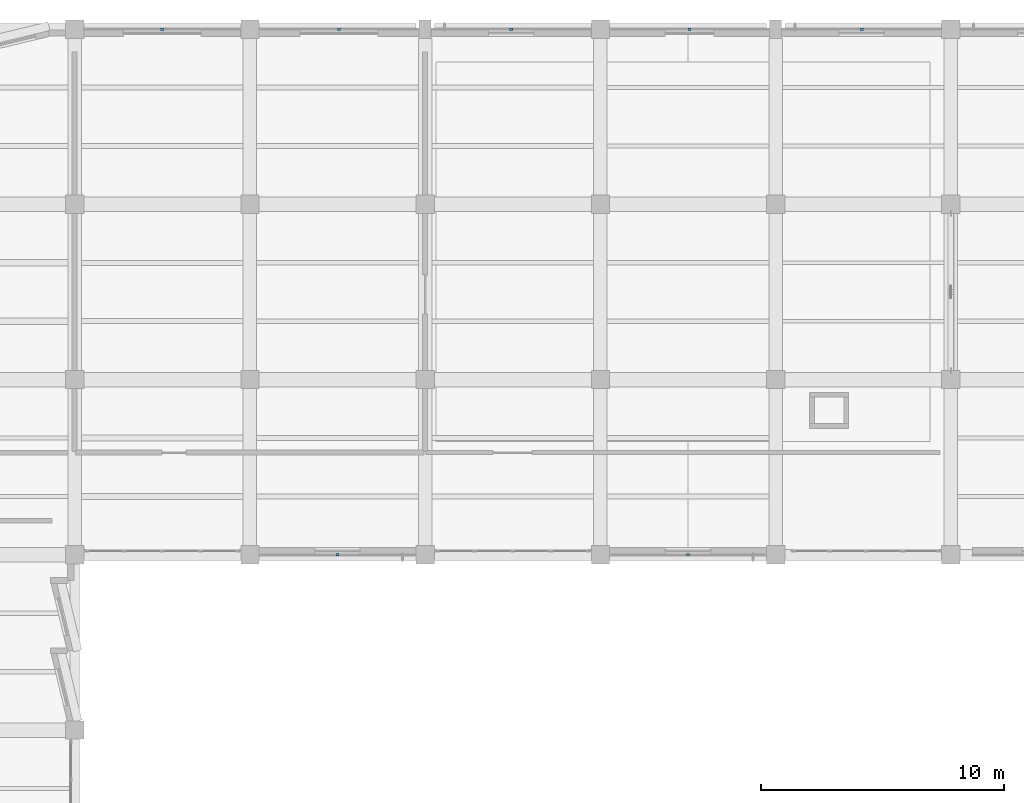
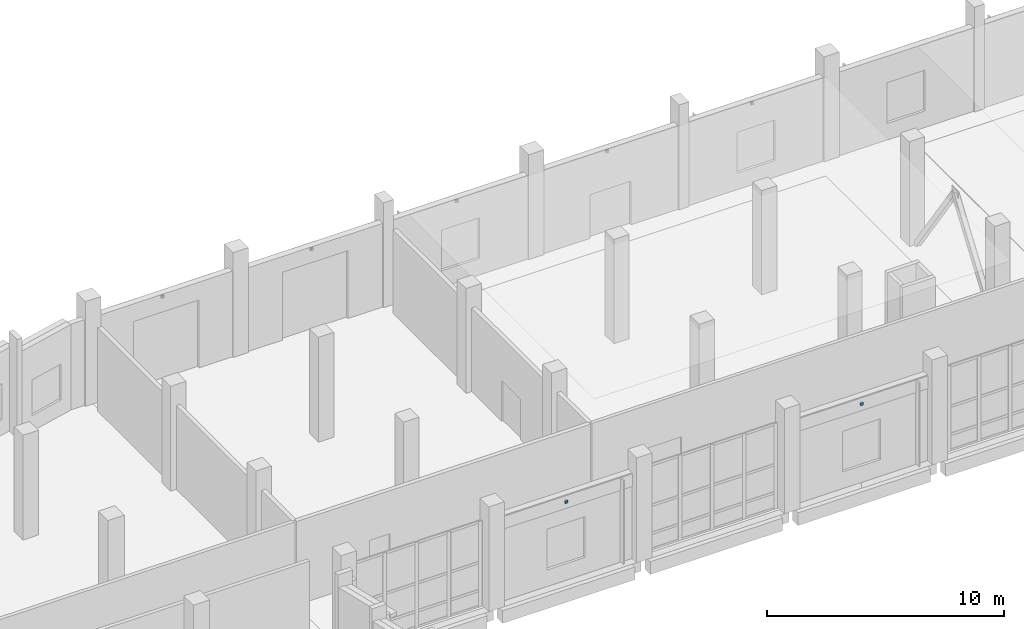
# One storey, part 114 of 137: 7 discrete accessories.
"""IFC4 building model written with IfcOpenShell, lengths in metres."""

from ifc_helpers import new_model, si_unit, direction, frame, origin, origin_2d, place, context, subcontext, project, spatial, rectangle, extrude, material, type_object, element, save


model = new_model("IFC4")

# Units and contexts
model_context = context("Model", 3, precision=1e-05, world=origin(), true_north=direction((0.0, 1.0)))
body_context = subcontext(model_context, "Body", "Model", "MODEL_VIEW")
ifc_project = project(units=[si_unit("LENGTHUNIT", "METRE"), si_unit("AREAUNIT", "SQUARE_METRE"), si_unit("VOLUMEUNIT", "CUBIC_METRE"), si_unit("PLANEANGLEUNIT", "RADIAN"), si_unit("MASSUNIT", "GRAM", prefix="KILO")], contexts=[model_context])

# Site, building, storey
site_placement = place(None, origin())
site = spatial("IfcSite", under=ifc_project, at=site_placement, CompositionType="ELEMENT")
building_placement = place(site_placement, origin())
building = spatial("IfcBuilding", under=site, at=building_placement, Name="Kalmorath City Hall", CompositionType="ELEMENT")
storey_placement = place(building_placement, origin())
storey = spatial("IfcBuildingStorey", under=building, at=storey_placement, Name="L00", CompositionType="ELEMENT", Elevation=0.0)

# Discrete accessories
ifc_material = material(Name="Stainless steel Grade 316", Category="steel")
discrete_accessory_type = type_object("IfcDiscreteAccessoryType", Name="Stainless rainscreen support bracket", PredefinedType="BRACKET", material=ifc_material)
for number, where, z_axis, x_axis, name in (
    (1, (32.39990234375, 115.18994140625, 3.9912109375), (0.0, 0.0, 1.0), (1.0, 0.0, 0.0), "L00 basalt anchor bracket #1"),
    (2, (39.66259765625, 115.18994140625, 3.89111328125), (0.0, 0.0, 1.0), (1.0, 0.0, 0.0), "L00 basalt anchor bracket #2"),
    (3, (46.737548828125, 115.18994140625, 3.89111328125), (0.0, 0.0, 1.0), (1.0, 0.0, 0.0), "L00 basalt anchor bracket #3"),
    (4, (54.0625, 115.18994140625, 3.89111328125), (0.0, 0.0, 1.0), (1.0, 0.0, 0.0), "L00 basalt anchor bracket #4"),
    (5, (61.137451171875, 115.18994140625, 3.89111328125), (0.0, 0.0, 1.0), (1.0, 0.0, 0.0), "L00 basalt anchor bracket #5"),
    (6, (54.0, 93.610107421875, 3.9912109375), (0.0, 0.0, 1.0), (-1.0, 0.0, 0.0), "L00 basalt anchor bracket #18"),
    (7, (39.60009765625, 93.610107421875, 3.9912109375), (0.0, 0.0, 1.0), (-1.0, 0.0, 0.0), "L00 basalt anchor bracket #19"),
):
    element("IfcDiscreteAccessory", number, at=place(storey_placement, frame(where, z_axis=z_axis, x_axis=x_axis)), inside=storey, type_object=discrete_accessory_type, Name=name, PredefinedType="BRACKET", context=body_context, shape_type="SweptSolid", body=[
        extrude(rectangle(XDim=0.139892578125, YDim=0.10009765625, at=origin_2d()), origin(), (0.0, 0.0, 1.0), 0.139892578125),
    ])

save(model, "model.ifc")
